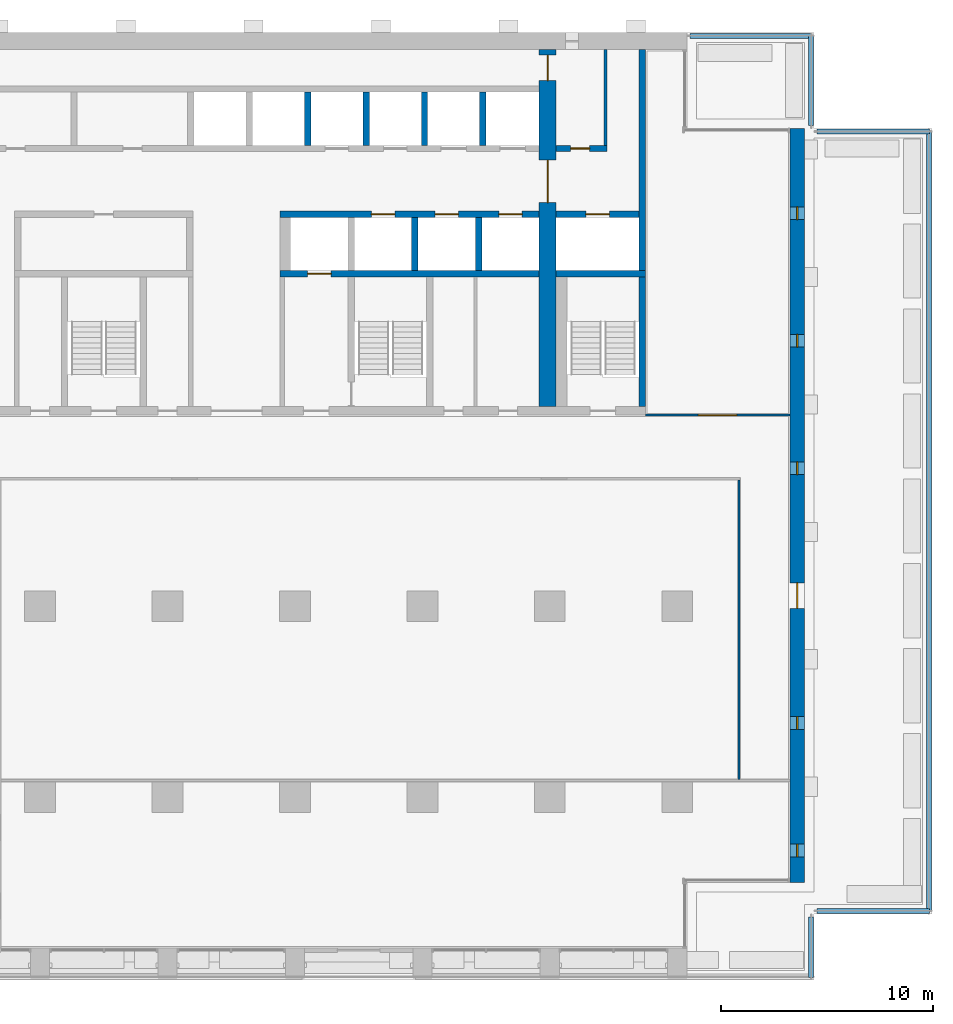
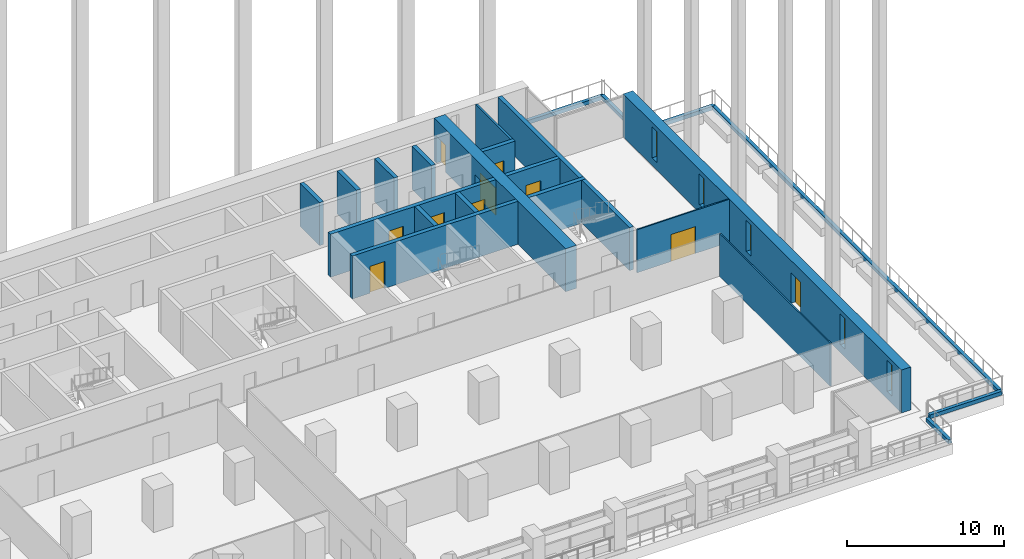
# One storey, part 11 of 18: 24 walls, 10 doors, 5 windows, 15 openings.
"""IFC4 building model written with IfcOpenShell, lengths in metres."""

from ifc_helpers import new_model, si_unit, direction, frame, frame_2d, origin, place, context, subcontext, project, spatial, rectangle, extrude, material, layer, layer_set, type_object, element, fill, save


model = new_model("IFC4")

# Units and contexts
model_context = context("Model", 3, precision=1e-05, world=origin(), true_north=direction((0.0, 1.0)))
body_context = subcontext(model_context, "Body", "Model", "MODEL_VIEW")
ifc_project = project(units=[si_unit("LENGTHUNIT", "METRE"), si_unit("AREAUNIT", "SQUARE_METRE"), si_unit("VOLUMEUNIT", "CUBIC_METRE"), si_unit("PLANEANGLEUNIT", "RADIAN"), si_unit("MASSUNIT", "GRAM", prefix="KILO")], contexts=[model_context])

# Site, building, storey
site_placement = place(None, origin())
site = spatial("IfcSite", under=ifc_project, at=site_placement, CompositionType="ELEMENT")
building_placement = place(site_placement, origin())
building = spatial("IfcBuilding", under=site, at=building_placement, Name="Calvaro Tower", CompositionType="ELEMENT")
storey_placement = place(building_placement, frame((0.0, 0.0, 95.0)))
storey = spatial("IfcBuildingStorey", under=building, at=storey_placement, Name="L23", CompositionType="ELEMENT", Elevation=95.0)

# Wall
ifc_material_1 = material(Name="Blockwork partition", Category="masonry")
ifc_layer_1 = layer(ifc_material_1, 0.14990234375)
ifc_layer_set_1 = layer_set([ifc_layer_1], Name="Blockwork partition")
wall_type_1 = type_object("IfcWallType", Name="Core partition 150 REI 120", PredefinedType="PARTITIONING", material=ifc_layer_set_1)
wall_1_placement = place(storey_placement, frame((62.625, 40.699951171875, 0.0), z_axis=(0.0, 0.0, 1.0), x_axis=(0.0, 1.0, 0.0)))
element("IfcWall", 1, at=wall_1_placement, inside=storey, type_object=wall_type_1, Name="Core partition", PredefinedType="PARTITIONING", context=body_context, shape_type="SweptSolid", body=[
    extrude(rectangle(XDim=4.5, YDim=0.14990234375, at=frame_2d((2.25, 0.0))), origin(), (0.0, 0.0, 1.0), 3.35009765625),
])

# Wall, opening, door
ifc_material_2 = material(Name="Blockwork partition", Category="masonry")
ifc_layer_2 = layer(ifc_material_2, 0.300048828125)
ifc_layer_set_2 = layer_set([ifc_layer_2], Name="Blockwork partition")
wall_type_2 = type_object("IfcWallType", Name="Core partition 300 REI 120", PredefinedType="PARTITIONING", material=ifc_layer_set_2)
wall_2_placement = place(storey_placement, frame((60.300048828125, 40.550048828125, 0.0), z_axis=(0.0, 0.0, 1.0), x_axis=(1.0, 0.0, 0.0)))
wall_2 = element("IfcWall", 2, at=wall_2_placement, inside=storey, type_object=wall_type_2, Name="Core partition", PredefinedType="PARTITIONING", context=body_context, shape_type="SweptSolid", body=[
    extrude(rectangle(XDim=2.39990234375, YDim=0.300048828125, at=frame_2d((1.199951171875, 0.0))), origin(), (0.0, 0.0, 1.0), 3.35009765625),
])
opening_1_placement = place(wall_2_placement, frame((0.675048828125, 0.0, 0.0)))
opening_1 = element("IfcOpeningElement", 3, at=opening_1_placement, cuts=wall_2, Name="Opening RD9E", PredefinedType="OPENING", context=body_context, shape_type="SweptSolid", body=[
    extrude(rectangle(XDim=0.89990234375, YDim=2.10009765625, at=frame_2d((0.449951171875, 1.050048828125))), frame((0.0, 0.159912109375, 0.0), z_axis=(0.0, -1.0, 0.0), x_axis=(1.0, 0.0, 0.0)), (0.0, 0.0, 1.0), 0.320068359375),
])
ifc_material_3 = material(Name="Steel door set", Category="steel")
door_type_1 = type_object("IfcDoorType", Name="Room door 900 FD60", OperationType="SINGLE_SWING_LEFT", PredefinedType="DOOR", material=ifc_material_3)
door_1_placement = place(opening_1_placement, origin())
door_1 = element("IfcDoor", 4, at=door_1_placement, inside=storey, type_object=door_type_1, Name="Room door", OperationType="SINGLE_SWING_LEFT", OverallHeight=2.10009765625, OverallWidth=0.89990234375, PredefinedType="DOOR", context=body_context, shape_type="SweptSolid", body=[
    extrude(rectangle(XDim=0.89990234375, YDim=2.10009765625, at=frame_2d((0.449951171875, 1.050048828125))), frame((0.0, 0.02490234375, 0.0), z_axis=(0.0, -1.0, 0.0), x_axis=(1.0, 0.0, 0.0)), (0.0, 0.0, 1.0), 0.050048828125),
])
fill(opening_1, door_1)

# Walls
ifc_material_4 = material(Name="Concrete C60/75", Category="concrete")
ifc_layer_3 = layer(ifc_material_4, 0.300048828125)
ifc_layer_set_3 = layer_set([ifc_layer_3], Name="Concrete C60/75")
wall_type_3 = type_object("IfcWallType", Name="Core wall C60/75 300", PredefinedType="SHEAR", material=ifc_layer_set_3)
wall_3_placement = place(storey_placement, frame((64.35009765625, 34.800048828125, 0.0), z_axis=(0.0, 0.0, 1.0), x_axis=(0.0, 1.0, 0.0)))
element("IfcWall", 5, at=wall_3_placement, inside=storey, type_object=wall_type_3, Name="Core wall, boundary", PredefinedType="SHEAR", context=body_context, shape_type="SweptSolid", body=[
    extrude(rectangle(XDim=10.39990234375, YDim=0.300048828125, at=frame_2d((5.199951171875, 0.0))), origin(), (0.0, 0.0, 1.0), 3.35009765625),
])
wall_4_placement = place(storey_placement, frame((64.35009765625, 28.39990234375, 0.0), z_axis=(0.0, 0.0, 1.0), x_axis=(0.0, 1.0, 0.0)))
element("IfcWall", 6, at=wall_4_placement, inside=storey, type_object=wall_type_3, Name="Core wall, stair enclosure", PredefinedType="SHEAR", context=body_context, shape_type="SweptSolid", body=[
    extrude(rectangle(XDim=6.10009765625, YDim=0.300048828125, at=frame_2d((3.050048828125, 0.0))), origin(), (0.0, 0.0, 1.0), 3.35009765625),
])

# Wall, opening, door
wall_5_placement = place(storey_placement, frame((47.300048828125, 34.64990234375, 0.0), z_axis=(0.0, 0.0, 1.0), x_axis=(1.0, 0.0, 0.0)))
wall_5 = element("IfcWall", 7, at=wall_5_placement, inside=storey, type_object=wall_type_3, Name="Core wall, lift shaft", PredefinedType="SHEAR", context=body_context, shape_type="SweptSolid", body=[
    extrude(rectangle(XDim=12.199951171875, YDim=0.300048828125, at=frame_2d((6.10009765625, 0.0))), origin(), (0.0, 0.0, 1.0), 3.35009765625),
])
opening_2_placement = place(wall_5_placement, frame((1.300048828125, 0.0, 0.0)))
opening_2 = element("IfcOpeningElement", 8, at=opening_2_placement, cuts=wall_5, Name="Opening FF2", PredefinedType="OPENING", context=body_context, shape_type="SweptSolid", body=[
    extrude(rectangle(XDim=1.10009765625, YDim=2.10009765625, at=frame_2d((0.550048828125, 1.050048828125))), frame((0.0, 0.159912109375, 0.0), z_axis=(0.0, -1.0, 0.0), x_axis=(1.0, 0.0, 0.0)), (0.0, 0.0, 1.0), 0.320068359375),
])
ifc_material_5 = material(Name="Stainless steel", Category="steel")
door_type_2 = type_object("IfcDoorType", Name="Landing door 1100 E 60", OperationType="SLIDING_TO_LEFT", PredefinedType="DOOR", material=ifc_material_5)
door_2_placement = place(opening_2_placement, origin())
door_2 = element("IfcDoor", 9, at=door_2_placement, inside=storey, type_object=door_type_2, Name="Landing door FF2", OperationType="SLIDING_TO_LEFT", OverallHeight=2.10009765625, OverallWidth=1.10009765625, PredefinedType="DOOR", context=body_context, shape_type="SweptSolid", body=[
    extrude(rectangle(XDim=1.10009765625, YDim=2.10009765625, at=frame_2d((0.550048828125, 1.050048828125))), frame((0.0, 0.02490234375, 0.0), z_axis=(0.0, -1.0, 0.0), x_axis=(1.0, 0.0, 0.0)), (0.0, 0.0, 1.0), 0.050048828125),
])
fill(opening_2, door_2)

# Wall
wall_6_placement = place(storey_placement, frame((60.300048828125, 34.64990234375, 0.0), z_axis=(0.0, 0.0, 1.0), x_axis=(1.0, 0.0, 0.0)))
element("IfcWall", 10, at=wall_6_placement, inside=storey, type_object=wall_type_3, Name="Core wall, lift shaft", PredefinedType="SHEAR", context=body_context, shape_type="SweptSolid", body=[
    extrude(rectangle(XDim=4.199951171875, YDim=0.300048828125, at=frame_2d((2.10009765625, 0.0))), origin(), (0.0, 0.0, 1.0), 3.35009765625),
])

# Wall, openings, doors
wall_7_placement = place(storey_placement, frame((47.300048828125, 37.449951171875, 0.0), z_axis=(0.0, 0.0, 1.0), x_axis=(1.0, 0.0, 0.0)))
wall_7 = element("IfcWall", 11, at=wall_7_placement, inside=storey, type_object=wall_type_3, Name="Core wall, lift shaft", PredefinedType="SHEAR", context=body_context, shape_type="SweptSolid", body=[
    extrude(rectangle(XDim=12.199951171875, YDim=0.300048828125, at=frame_2d((6.10009765625, 0.0))), origin(), (0.0, 0.0, 1.0), 3.35009765625),
])
opening_3_placement = place(wall_7_placement, frame((4.300048828125, 0.0, 0.0)))
opening_3 = element("IfcOpeningElement", 12, at=opening_3_placement, cuts=wall_7, Name="Opening MR1", PredefinedType="OPENING", context=body_context, shape_type="SweptSolid", body=[
    extrude(rectangle(XDim=1.10009765625, YDim=2.10009765625, at=frame_2d((0.550048828125, 1.050048828125))), frame((0.0, 0.159912109375, 0.0), z_axis=(0.0, -1.0, 0.0), x_axis=(1.0, 0.0, 0.0)), (0.0, 0.0, 1.0), 0.320068359375),
])
opening_4_placement = place(wall_7_placement, frame((7.300048828125, 0.0, 0.0)))
opening_4 = element("IfcOpeningElement", 13, at=opening_4_placement, cuts=wall_7, Name="Opening MR2", PredefinedType="OPENING", context=body_context, shape_type="SweptSolid", body=[
    extrude(rectangle(XDim=1.10009765625, YDim=2.10009765625, at=frame_2d((0.550048828125, 1.050048828125))), frame((0.0, 0.159912109375, 0.0), z_axis=(0.0, -1.0, 0.0), x_axis=(1.0, 0.0, 0.0)), (0.0, 0.0, 1.0), 0.320068359375),
])
opening_5_placement = place(wall_7_placement, frame((10.300048828125, 0.0, 0.0)))
opening_5 = element("IfcOpeningElement", 14, at=opening_5_placement, cuts=wall_7, Name="Opening MR3", PredefinedType="OPENING", context=body_context, shape_type="SweptSolid", body=[
    extrude(rectangle(XDim=1.10009765625, YDim=2.10009765625, at=frame_2d((0.550048828125, 1.050048828125))), frame((0.0, 0.159912109375, 0.0), z_axis=(0.0, -1.0, 0.0), x_axis=(1.0, 0.0, 0.0)), (0.0, 0.0, 1.0), 0.320068359375),
])
door_3_placement = place(opening_3_placement, origin())
door_3 = element("IfcDoor", 15, at=door_3_placement, inside=storey, type_object=door_type_2, Name="Landing door MR1", OperationType="SLIDING_TO_LEFT", OverallHeight=2.10009765625, OverallWidth=1.10009765625, PredefinedType="DOOR", context=body_context, shape_type="SweptSolid", body=[
    extrude(rectangle(XDim=1.10009765625, YDim=2.10009765625, at=frame_2d((0.550048828125, 1.050048828125))), frame((0.0, 0.02490234375, 0.0), z_axis=(0.0, -1.0, 0.0), x_axis=(1.0, 0.0, 0.0)), (0.0, 0.0, 1.0), 0.050048828125),
])
fill(opening_3, door_3)
door_4_placement = place(opening_4_placement, origin())
door_4 = element("IfcDoor", 16, at=door_4_placement, inside=storey, type_object=door_type_2, Name="Landing door MR2", OperationType="SLIDING_TO_LEFT", OverallHeight=2.10009765625, OverallWidth=1.10009765625, PredefinedType="DOOR", context=body_context, shape_type="SweptSolid", body=[
    extrude(rectangle(XDim=1.10009765625, YDim=2.10009765625, at=frame_2d((0.550048828125, 1.050048828125))), frame((0.0, 0.02490234375, 0.0), z_axis=(0.0, -1.0, 0.0), x_axis=(1.0, 0.0, 0.0)), (0.0, 0.0, 1.0), 0.050048828125),
])
fill(opening_4, door_4)
door_5_placement = place(opening_5_placement, origin())
door_5 = element("IfcDoor", 17, at=door_5_placement, inside=storey, type_object=door_type_2, Name="Landing door MR3", OperationType="SLIDING_TO_LEFT", OverallHeight=2.10009765625, OverallWidth=1.10009765625, PredefinedType="DOOR", context=body_context, shape_type="SweptSolid", body=[
    extrude(rectangle(XDim=1.10009765625, YDim=2.10009765625, at=frame_2d((0.550048828125, 1.050048828125))), frame((0.0, 0.02490234375, 0.0), z_axis=(0.0, -1.0, 0.0), x_axis=(1.0, 0.0, 0.0)), (0.0, 0.0, 1.0), 0.050048828125),
])
fill(opening_5, door_5)

# Wall, opening, door
wall_8_placement = place(storey_placement, frame((60.300048828125, 37.449951171875, 0.0), z_axis=(0.0, 0.0, 1.0), x_axis=(1.0, 0.0, 0.0)))
wall_8 = element("IfcWall", 18, at=wall_8_placement, inside=storey, type_object=wall_type_3, Name="Core wall, lift shaft", PredefinedType="SHEAR", context=body_context, shape_type="SweptSolid", body=[
    extrude(rectangle(XDim=3.89990234375, YDim=0.300048828125, at=frame_2d((1.949951171875, 0.0))), origin(), (0.0, 0.0, 1.0), 3.35009765625),
])
opening_6_placement = place(wall_8_placement, frame((1.39990234375, 0.0, 0.0)))
opening_6 = element("IfcOpeningElement", 19, at=opening_6_placement, cuts=wall_8, Name="Opening FF3", PredefinedType="OPENING", context=body_context, shape_type="SweptSolid", body=[
    extrude(rectangle(XDim=1.10009765625, YDim=2.10009765625, at=frame_2d((0.550048828125, 1.050048828125))), frame((0.0, 0.159912109375, 0.0), z_axis=(0.0, -1.0, 0.0), x_axis=(1.0, 0.0, 0.0)), (0.0, 0.0, 1.0), 0.320068359375),
])
door_6_placement = place(opening_6_placement, origin())
door_6 = element("IfcDoor", 20, at=door_6_placement, inside=storey, type_object=door_type_2, Name="Landing door FF3", OperationType="SLIDING_TO_LEFT", OverallHeight=2.10009765625, OverallWidth=1.10009765625, PredefinedType="DOOR", context=body_context, shape_type="SweptSolid", body=[
    extrude(rectangle(XDim=1.10009765625, YDim=2.10009765625, at=frame_2d((0.550048828125, 1.050048828125))), frame((0.0, 0.02490234375, 0.0), z_axis=(0.0, -1.0, 0.0), x_axis=(1.0, 0.0, 0.0)), (0.0, 0.0, 1.0), 0.050048828125),
])
fill(opening_6, door_6)

# Walls
for number, where, z_axis, x_axis, name in (
    (21, (53.64990234375, 34.800048828125, 0.0), (0.0, 0.0, 1.0), (0.0, 1.0, 0.0), "Core wall, lift shaft"),
    (22, (56.64990234375, 34.800048828125, 0.0), (0.0, 0.0, 1.0), (0.0, 1.0, 0.0), "Core wall, lift shaft"),
    (23, (48.60009765625, 40.699951171875, 0.0), (0.0, 0.0, 1.0), (0.0, 1.0, 0.0), "Core wall, lift shaft"),
    (24, (51.35009765625, 40.699951171875, 0.0), (0.0, 0.0, 1.0), (0.0, 1.0, 0.0), "Core wall, lift shaft"),
    (25, (54.10009765625, 40.699951171875, 0.0), (0.0, 0.0, 1.0), (0.0, 1.0, 0.0), "Core wall, lift shaft"),
    (26, (56.85009765625, 40.699951171875, 0.0), (0.0, 0.0, 1.0), (0.0, 1.0, 0.0), "Core wall, lift shaft"),
):
    element("IfcWall", number, at=place(storey_placement, frame(where, z_axis=z_axis, x_axis=x_axis)), inside=storey, type_object=wall_type_3, Name=name, PredefinedType="SHEAR", context=body_context, shape_type="SweptSolid", body=[
        extrude(rectangle(XDim=2.5, YDim=0.300048828125, at=frame_2d((1.25, 0.0))), origin(), (0.0, 0.0, 1.0), 3.35009765625),
    ])

# Wall, openings, doors
ifc_material_6 = material(Name="Concrete C60/75", Category="concrete")
ifc_layer_4 = layer(ifc_material_6, 0.800048828125)
ifc_layer_set_4 = layer_set([ifc_layer_4], Name="Concrete C60/75")
wall_type_4 = type_object("IfcWallType", Name="Core wall C60/75 800", PredefinedType="SHEAR", material=ifc_layer_set_4)
wall_9_placement = place(storey_placement, frame((59.89990234375, 28.39990234375, 0.0), z_axis=(0.0, 0.0, 1.0), x_axis=(0.0, 1.0, 0.0)))
wall_9 = element("IfcWall", 27, at=wall_9_placement, inside=storey, type_object=wall_type_4, Name="Core wall, cross shear wall", PredefinedType="SHEAR", context=body_context, shape_type="SweptSolid", body=[
    extrude(rectangle(XDim=16.800048828125, YDim=0.800048828125, at=frame_2d((8.39990234375, 0.0))), origin(), (0.0, 0.0, 1.0), 3.35009765625),
])
opening_7_placement = place(wall_9_placement, frame((9.60009765625, 0.0, 0.0)))
opening_7 = element("IfcOpeningElement", 28, at=opening_7_placement, cuts=wall_9, Name="Opening DD20D", PredefinedType="OPENING", context=body_context, shape_type="SweptSolid", body=[
    extrude(rectangle(XDim=2.0, YDim=2.10009765625, at=frame_2d((1.0, 1.050048828125))), frame((0.0, 0.409912109375, 0.0), z_axis=(0.0, -1.0, 0.0), x_axis=(1.0, 0.0, 0.0)), (0.0, 0.0, 1.0), 0.820068359375),
])
opening_8_placement = place(wall_9_placement, frame((15.35009765625, 0.0, 0.0)))
opening_8 = element("IfcOpeningElement", 29, at=opening_8_placement, cuts=wall_9, Name="Opening FD12C", PredefinedType="OPENING", context=body_context, shape_type="SweptSolid", body=[
    extrude(rectangle(XDim=1.199951171875, YDim=2.10009765625, at=frame_2d((0.60009765625, 1.050048828125))), frame((0.0, 0.409912109375, 0.0), z_axis=(0.0, -1.0, 0.0), x_axis=(1.0, 0.0, 0.0)), (0.0, 0.0, 1.0), 0.820068359375),
])
ifc_material_7 = material(Name="Steel door set", Category="steel")
door_type_3 = type_object("IfcDoorType", Name="Fire door 1200 FD30", OperationType="SINGLE_SWING_LEFT", PredefinedType="DOOR", material=ifc_material_7)
door_7_placement = place(opening_8_placement, origin())
door_7 = element("IfcDoor", 30, at=door_7_placement, inside=storey, type_object=door_type_3, Name="Fire door", OperationType="SINGLE_SWING_LEFT", OverallHeight=2.10009765625, OverallWidth=1.199951171875, PredefinedType="DOOR", context=body_context, shape_type="SweptSolid", body=[
    extrude(rectangle(XDim=1.199951171875, YDim=2.10009765625, at=frame_2d((0.60009765625, 1.050048828125))), frame((0.0, 0.02490234375, 0.0), z_axis=(0.0, -1.0, 0.0), x_axis=(1.0, 0.0, 0.0)), (0.0, 0.0, 1.0), 0.050048828125),
])
fill(opening_8, door_7)
ifc_material_8 = material(Name="Steel door set", Category="steel")
door_type_4 = type_object("IfcDoorType", Name="Lobby double door 2000 FD30S", OperationType="DOUBLE_DOOR_SINGLE_SWING", PredefinedType="DOOR", material=ifc_material_8)
door_8_placement = place(opening_7_placement, origin())
door_8 = element("IfcDoor", 31, at=door_8_placement, inside=storey, type_object=door_type_4, Name="Lobby double door", OperationType="DOUBLE_DOOR_SINGLE_SWING", OverallHeight=2.10009765625, OverallWidth=2.0, PredefinedType="DOOR", context=body_context, shape_type="SweptSolid", body=[
    extrude(rectangle(XDim=2.0, YDim=2.10009765625, at=frame_2d((1.0, 1.050048828125))), frame((0.0, 0.02490234375, 0.0), z_axis=(0.0, -1.0, 0.0), x_axis=(1.0, 0.0, 0.0)), (0.0, 0.0, 1.0), 0.050048828125),
])
fill(opening_7, door_8)

# Wall, openings, windows, door
ifc_material_9 = material(Name="Concrete C60/75", Category="concrete")
ifc_layer_5 = layer(ifc_material_9, 0.699951171875)
ifc_layer_set_5 = layer_set([ifc_layer_5], Name="Concrete C60/75")
wall_type_5 = type_object("IfcWallType", Name="End wall 700 C60/75", PredefinedType="SHEAR", material=ifc_layer_set_5)
wall_10_placement = place(storey_placement, frame((71.64990234375, 6.0, 0.0), z_axis=(0.0, 0.0, 1.0), x_axis=(0.0, 1.0, 0.0)))
wall_10 = element("IfcWall", 32, at=wall_10_placement, inside=storey, type_object=wall_type_5, Name="End shear wall", PredefinedType="SHEAR", context=body_context, shape_type="SweptSolid", body=[
    extrude(rectangle(XDim=35.5, YDim=0.699951171875, at=frame_2d((17.75, 0.0))), origin(), (0.0, 0.0, 1.0), 3.35009765625),
])
opening_9_placement = place(wall_10_placement, frame((1.199951171875, 0.0, 0.60009765625)))
opening_9 = element("IfcOpeningElement", 33, at=opening_9_placement, cuts=wall_10, Name="Opening WE01", PredefinedType="OPENING", context=body_context, shape_type="SweptSolid", body=[
    extrude(rectangle(XDim=0.60009765625, YDim=2.39990234375, at=frame_2d((0.300048828125, 1.199951171875))), frame((0.0, 0.35986328125, 0.0), z_axis=(0.0, -1.0, 0.0), x_axis=(1.0, 0.0, 0.0)), (0.0, 0.0, 1.0), 0.719970703125),
])
opening_10_placement = place(wall_10_placement, frame((7.199951171875, 0.0, 0.60009765625)))
opening_10 = element("IfcOpeningElement", 34, at=opening_10_placement, cuts=wall_10, Name="Opening WE02", PredefinedType="OPENING", context=body_context, shape_type="SweptSolid", body=[
    extrude(rectangle(XDim=0.60009765625, YDim=2.39990234375, at=frame_2d((0.300048828125, 1.199951171875))), frame((0.0, 0.35986328125, 0.0), z_axis=(0.0, -1.0, 0.0), x_axis=(1.0, 0.0, 0.0)), (0.0, 0.0, 1.0), 0.719970703125),
])
opening_11_placement = place(wall_10_placement, frame((19.199951171875, 0.0, 0.60009765625)))
opening_11 = element("IfcOpeningElement", 35, at=opening_11_placement, cuts=wall_10, Name="Opening WE04", PredefinedType="OPENING", context=body_context, shape_type="SweptSolid", body=[
    extrude(rectangle(XDim=0.60009765625, YDim=2.39990234375, at=frame_2d((0.300048828125, 1.199951171875))), frame((0.0, 0.35986328125, 0.0), z_axis=(0.0, -1.0, 0.0), x_axis=(1.0, 0.0, 0.0)), (0.0, 0.0, 1.0), 0.719970703125),
])
opening_12_placement = place(wall_10_placement, frame((25.199951171875, 0.0, 0.60009765625)))
opening_12 = element("IfcOpeningElement", 36, at=opening_12_placement, cuts=wall_10, Name="Opening WE05", PredefinedType="OPENING", context=body_context, shape_type="SweptSolid", body=[
    extrude(rectangle(XDim=0.60009765625, YDim=2.39990234375, at=frame_2d((0.300048828125, 1.199951171875))), frame((0.0, 0.35986328125, 0.0), z_axis=(0.0, -1.0, 0.0), x_axis=(1.0, 0.0, 0.0)), (0.0, 0.0, 1.0), 0.719970703125),
])
opening_13_placement = place(wall_10_placement, frame((31.199951171875, 0.0, 0.60009765625)))
opening_13 = element("IfcOpeningElement", 37, at=opening_13_placement, cuts=wall_10, Name="Opening WE06", PredefinedType="OPENING", context=body_context, shape_type="SweptSolid", body=[
    extrude(rectangle(XDim=0.60009765625, YDim=2.39990234375, at=frame_2d((0.300048828125, 1.199951171875))), frame((0.0, 0.35986328125, 0.0), z_axis=(0.0, -1.0, 0.0), x_axis=(1.0, 0.0, 0.0)), (0.0, 0.0, 1.0), 0.719970703125),
])
opening_14_placement = place(wall_10_placement, frame((12.89990234375, 0.0, 0.0)))
opening_14 = element("IfcOpeningElement", 38, at=opening_14_placement, cuts=wall_10, Name="Opening DT15", PredefinedType="OPENING", context=body_context, shape_type="SweptSolid", body=[
    extrude(rectangle(XDim=1.199951171875, YDim=2.39990234375, at=frame_2d((0.60009765625, 1.199951171875))), frame((0.0, 0.35986328125, 0.0), z_axis=(0.0, -1.0, 0.0), x_axis=(1.0, 0.0, 0.0)), (0.0, 0.0, 1.0), 0.719970703125),
])
ifc_material_10 = material(Name="Glass", Category="glass")
window_type = type_object("IfcWindowType", Name="Slit window 600 x 2400", PartitioningType="SINGLE_PANEL", PredefinedType="WINDOW", material=ifc_material_10)
window_1_placement = place(opening_9_placement, origin())
window_1 = element("IfcWindow", 39, at=window_1_placement, inside=storey, type_object=window_type, Name="Window WE01", OverallHeight=2.39990234375, OverallWidth=0.60009765625, PartitioningType="SINGLE_PANEL", PredefinedType="WINDOW", context=body_context, shape_type="SweptSolid", body=[
    extrude(rectangle(XDim=0.60009765625, YDim=2.39990234375, at=frame_2d((0.300048828125, 1.199951171875))), frame((0.0, 0.030029296875, 0.0), z_axis=(0.0, -1.0, 0.0), x_axis=(1.0, 0.0, 0.0)), (0.0, 0.0, 1.0), 0.06005859375),
])
fill(opening_9, window_1)
window_2_placement = place(opening_10_placement, origin())
window_2 = element("IfcWindow", 40, at=window_2_placement, inside=storey, type_object=window_type, Name="Window WE02", OverallHeight=2.39990234375, OverallWidth=0.60009765625, PartitioningType="SINGLE_PANEL", PredefinedType="WINDOW", context=body_context, shape_type="SweptSolid", body=[
    extrude(rectangle(XDim=0.60009765625, YDim=2.39990234375, at=frame_2d((0.300048828125, 1.199951171875))), frame((0.0, 0.030029296875, 0.0), z_axis=(0.0, -1.0, 0.0), x_axis=(1.0, 0.0, 0.0)), (0.0, 0.0, 1.0), 0.06005859375),
])
fill(opening_10, window_2)
window_3_placement = place(opening_11_placement, origin())
window_3 = element("IfcWindow", 41, at=window_3_placement, inside=storey, type_object=window_type, Name="Window WE04", OverallHeight=2.39990234375, OverallWidth=0.60009765625, PartitioningType="SINGLE_PANEL", PredefinedType="WINDOW", context=body_context, shape_type="SweptSolid", body=[
    extrude(rectangle(XDim=0.60009765625, YDim=2.39990234375, at=frame_2d((0.300048828125, 1.199951171875))), frame((0.0, 0.030029296875, 0.0), z_axis=(0.0, -1.0, 0.0), x_axis=(1.0, 0.0, 0.0)), (0.0, 0.0, 1.0), 0.06005859375),
])
fill(opening_11, window_3)
window_4_placement = place(opening_12_placement, origin())
window_4 = element("IfcWindow", 42, at=window_4_placement, inside=storey, type_object=window_type, Name="Window WE05", OverallHeight=2.39990234375, OverallWidth=0.60009765625, PartitioningType="SINGLE_PANEL", PredefinedType="WINDOW", context=body_context, shape_type="SweptSolid", body=[
    extrude(rectangle(XDim=0.60009765625, YDim=2.39990234375, at=frame_2d((0.300048828125, 1.199951171875))), frame((0.0, 0.030029296875, 0.0), z_axis=(0.0, -1.0, 0.0), x_axis=(1.0, 0.0, 0.0)), (0.0, 0.0, 1.0), 0.06005859375),
])
fill(opening_12, window_4)
window_5_placement = place(opening_13_placement, origin())
window_5 = element("IfcWindow", 43, at=window_5_placement, inside=storey, type_object=window_type, Name="Window WE06", OverallHeight=2.39990234375, OverallWidth=0.60009765625, PartitioningType="SINGLE_PANEL", PredefinedType="WINDOW", context=body_context, shape_type="SweptSolid", body=[
    extrude(rectangle(XDim=0.60009765625, YDim=2.39990234375, at=frame_2d((0.300048828125, 1.199951171875))), frame((0.0, 0.030029296875, 0.0), z_axis=(0.0, -1.0, 0.0), x_axis=(1.0, 0.0, 0.0)), (0.0, 0.0, 1.0), 0.06005859375),
])
fill(opening_13, window_5)
ifc_material_11 = material(Name="Glass", Category="glass")
door_type_5 = type_object("IfcDoorType", Name="Terrace door 1200 x 2400", OperationType="SINGLE_SWING_RIGHT", PredefinedType="DOOR", material=ifc_material_11)
door_9_placement = place(opening_14_placement, frame((1.199951171875, 0.0, 0.0), z_axis=(0.0, 0.0, 1.0), x_axis=(-1.0, 0.0, 0.0)))
door_9 = element("IfcDoor", 44, at=door_9_placement, inside=storey, type_object=door_type_5, Name="Terrace door", OperationType="SINGLE_SWING_LEFT", OverallHeight=2.39990234375, OverallWidth=1.199951171875, PredefinedType="DOOR", context=body_context, shape_type="SweptSolid", body=[
    extrude(rectangle(XDim=1.199951171875, YDim=2.39990234375, at=frame_2d((0.60009765625, 1.199951171875))), frame((0.0, 0.02490234375, 0.0), z_axis=(0.0, -1.0, 0.0), x_axis=(1.0, 0.0, 0.0)), (0.0, 0.0, 1.0), 0.050048828125),
])
fill(opening_14, door_9)

# Wall, opening, door
ifc_material_12 = material(Name="Plasterboard on steel studs", Category="steel")
ifc_layer_6 = layer(ifc_material_12, 0.10009765625)
ifc_layer_set_6 = layer_set([ifc_layer_6], Name="Plasterboard on steel studs")
wall_type_6 = type_object("IfcWallType", Name="Partition 100", PredefinedType="PARTITIONING", material=ifc_layer_set_6)
wall_11_placement = place(storey_placement, frame((64.5, 28.0, 0.0), z_axis=(0.0, 0.0, 1.0), x_axis=(1.0, 0.0, 0.0)))
wall_11 = element("IfcWall", 45, at=wall_11_placement, inside=storey, type_object=wall_type_6, Name="Partition T41.W006", PredefinedType="PARTITIONING", context=body_context, shape_type="SweptSolid", body=[
    extrude(rectangle(XDim=6.800048828125, YDim=0.10009765625, at=frame_2d((3.39990234375, 0.0))), origin(), (0.0, 0.0, 1.0), 3.35009765625),
])
opening_15_placement = place(wall_11_placement, frame((2.5, 0.0, 0.0)))
opening_15 = element("IfcOpeningElement", 46, at=opening_15_placement, cuts=wall_11, Name="Opening T41.012", PredefinedType="OPENING", context=body_context, shape_type="SweptSolid", body=[
    extrude(rectangle(XDim=1.800048828125, YDim=2.10009765625, at=frame_2d((0.89990234375, 1.050048828125))), frame((0.0, 0.06005859375, 0.0), z_axis=(0.0, -1.0, 0.0), x_axis=(1.0, 0.0, 0.0)), (0.0, 0.0, 1.0), 0.1201171875),
])
ifc_material_13 = material(Name="Timber", Category="wood")
door_type_6 = type_object("IfcDoorType", Name="Internal double door 1800 x 2100", OperationType="DOUBLE_DOOR_SINGLE_SWING", PredefinedType="DOOR", material=ifc_material_13)
door_10_placement = place(opening_15_placement, origin())
door_10 = element("IfcDoor", 47, at=door_10_placement, inside=storey, type_object=door_type_6, Name="Door T41.012", OperationType="DOUBLE_DOOR_SINGLE_SWING", OverallHeight=2.10009765625, OverallWidth=1.800048828125, PredefinedType="DOOR", context=body_context, shape_type="SweptSolid", body=[
    extrude(rectangle(XDim=1.800048828125, YDim=2.10009765625, at=frame_2d((0.89990234375, 1.050048828125))), frame((0.0, 0.02490234375, 0.0), z_axis=(0.0, -1.0, 0.0), x_axis=(1.0, 0.0, 0.0)), (0.0, 0.0, 1.0), 0.050048828125),
])
fill(opening_15, door_10)

# Walls
wall_12_placement = place(storey_placement, frame((68.89990234375, 10.85009765625, 0.0), z_axis=(0.0, 0.0, 1.0), x_axis=(0.0, 1.0, 0.0)))
element("IfcWall", 48, at=wall_12_placement, inside=storey, type_object=wall_type_6, Name="Partition T41.W010", PredefinedType="PARTITIONING", context=body_context, shape_type="SweptSolid", body=[
    extrude(rectangle(XDim=14.099853515625, YDim=0.10009765625, at=frame_2d((7.0498046875, 0.0))), origin(), (0.0, 0.0, 1.0), 3.35009765625),
])
ifc_material_14 = material(Name="Concrete C40/50", Category="concrete")
ifc_layer_7 = layer(ifc_material_14, 0.199951171875, Name="Structure")
ifc_material_15 = material(Name="Reconstituted stone coping")
ifc_layer_8 = layer(ifc_material_15, 0.050048828125, Name="Finish")
ifc_layer_set_7 = layer_set([ifc_layer_7, ifc_layer_8], Name="Concrete C40/50")
wall_type_7 = type_object("IfcWallType", Name="Terrace edge kerb 250", PredefinedType="PARAPET", material=ifc_layer_set_7)
wall_13_placement = place(storey_placement, frame((66.594970703125, 45.85009765625, 0.0), z_axis=(0.0, 0.0, 1.0), x_axis=(1.0, 0.0, 0.0)))
element("IfcWall", 49, at=wall_13_placement, inside=storey, type_object=wall_type_7, Name="Terrace edge kerb", PredefinedType="PARAPET", context=body_context, shape_type="SweptSolid", body=[
    extrude(rectangle(XDim=5.72998046875, YDim=0.25, at=frame_2d((2.864990234375, 0.0))), origin(), (0.0, 0.0, 1.0), 0.300048828125),
])
wall_14_placement = place(storey_placement, frame((72.300048828125, 45.875, 0.0), z_axis=(0.0, 0.0, 1.0), x_axis=(0.0, -1.0, 0.0)))
element("IfcWall", 50, at=wall_14_placement, inside=storey, type_object=wall_type_7, Name="Terrace edge kerb", PredefinedType="PARAPET", context=body_context, shape_type="SweptSolid", body=[
    extrude(rectangle(XDim=4.25, YDim=0.25, at=frame_2d((2.125, 0.0))), origin(), (0.0, 0.0, 1.0), 0.300048828125),
])
wall_15_placement = place(storey_placement, frame((72.574951171875, 41.35009765625, 0.0), z_axis=(0.0, 0.0, 1.0), x_axis=(1.0, 0.0, 0.0)))
element("IfcWall", 51, at=wall_15_placement, inside=storey, type_object=wall_type_7, Name="Terrace edge kerb", PredefinedType="PARAPET", context=body_context, shape_type="SweptSolid", body=[
    extrude(rectangle(XDim=5.300048828125, YDim=0.25, at=frame_2d((2.64990234375, 0.0))), origin(), (0.0, 0.0, 1.0), 0.300048828125),
])
wall_16_placement = place(storey_placement, frame((77.85009765625, 41.375, 0.0), z_axis=(0.0, 0.0, 1.0), x_axis=(0.0, -1.0, 0.0)))
element("IfcWall", 52, at=wall_16_placement, inside=storey, type_object=wall_type_7, Name="Terrace edge kerb", PredefinedType="PARAPET", context=body_context, shape_type="SweptSolid", body=[
    extrude(rectangle(XDim=36.75, YDim=0.25, at=frame_2d((18.375, 0.0))), origin(), (0.0, 0.0, 1.0), 0.300048828125),
])
wall_17_placement = place(storey_placement, frame((77.875, 4.64990234375, 0.0), z_axis=(0.0, 0.0, 1.0), x_axis=(-1.0, 0.0, 0.0)))
element("IfcWall", 53, at=wall_17_placement, inside=storey, type_object=wall_type_7, Name="Terrace edge kerb", PredefinedType="PARAPET", context=body_context, shape_type="SweptSolid", body=[
    extrude(rectangle(XDim=5.300048828125, YDim=0.25, at=frame_2d((2.64990234375, 0.0))), origin(), (0.0, 0.0, 1.0), 0.300048828125),
])
wall_18_placement = place(storey_placement, frame((72.300048828125, 4.375, 0.0), z_axis=(0.0, 0.0, 1.0), x_axis=(0.0, -1.0, 0.0)))
element("IfcWall", 54, at=wall_18_placement, inside=storey, type_object=wall_type_7, Name="Terrace edge kerb", PredefinedType="PARAPET", context=body_context, shape_type="SweptSolid", body=[
    extrude(rectangle(XDim=2.85009765625, YDim=0.25, at=frame_2d((1.425048828125, 0.0))), origin(), (0.0, 0.0, 1.0), 0.300048828125),
])

save(model, "model.ifc")
